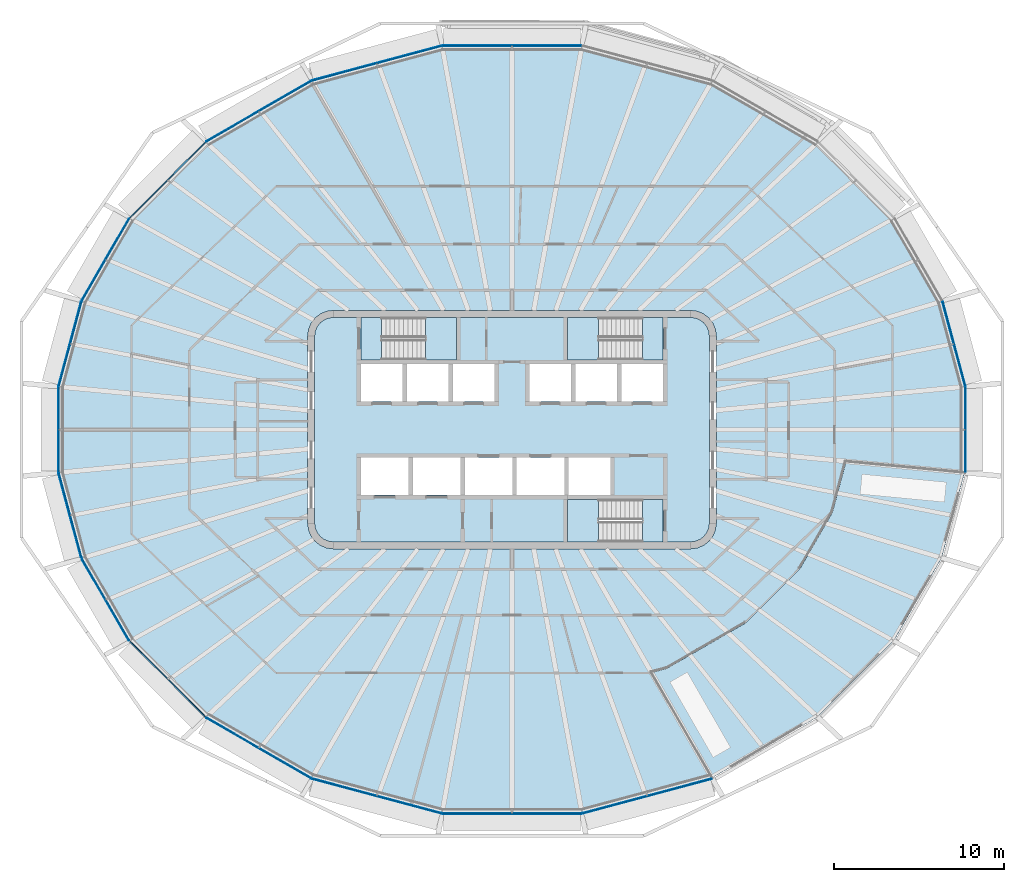
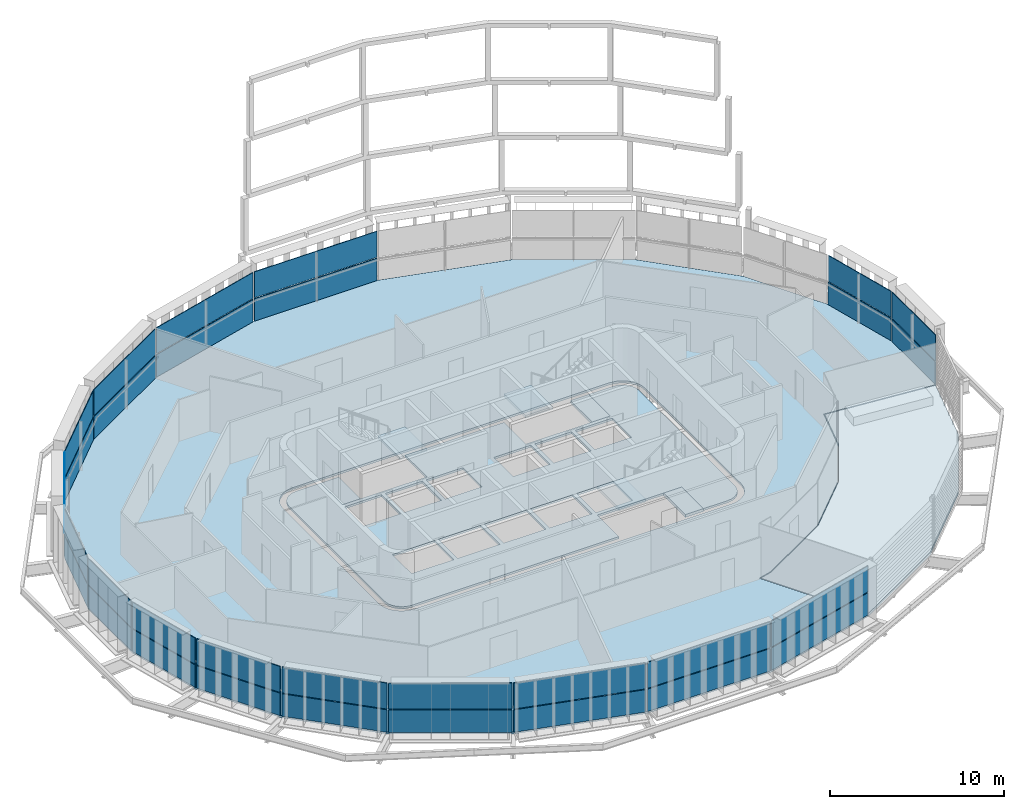
# One storey, part 9 of 21: 32 plates, 9 slabs, 19 elements without a shape of their own.
"""IFC4 building model written with IfcOpenShell, lengths in metres."""

from ifc_helpers import new_model, si_unit, direction, frame, origin, place, context, subcontext, project, spatial, polyline, outline, extrude, material, layer, layer_set, type_object, element, aggregate, save


model = new_model("IFC4")

# Units and contexts
model_context = context("Model", 3, precision=1e-05, world=origin(), true_north=direction((0.0, 1.0)))
body_context = subcontext(model_context, "Body", "Model", "MODEL_VIEW")
ifc_project = project(units=[si_unit("LENGTHUNIT", "METRE"), si_unit("AREAUNIT", "SQUARE_METRE"), si_unit("VOLUMEUNIT", "CUBIC_METRE"), si_unit("PLANEANGLEUNIT", "RADIAN"), si_unit("MASSUNIT", "GRAM", prefix="KILO")], contexts=[model_context])

# Site, building, storey
site_placement = place(None, origin())
site = spatial("IfcSite", under=ifc_project, at=site_placement, CompositionType="ELEMENT")
building_placement = place(site_placement, origin())
building = spatial("IfcBuilding", under=site, at=building_placement, Name="Sahrelin Media Tower", CompositionType="ELEMENT")
storey_placement = place(building_placement, frame((0.0, 0.0, 304.39990234375)))
storey = spatial("IfcBuildingStorey", under=building, at=storey_placement, Name="L67", CompositionType="ELEMENT", Elevation=304.39990234375)

# Slabs
ifc_material_1 = material(Name="Concrete C40/50", Category="concrete")
ifc_layer_1 = layer(ifc_material_1, 0.14990234375)
ifc_layer_set_1 = layer_set([ifc_layer_1], Name="Composite floor slab 150")
slab_type_1 = type_object("IfcSlabType", Name="Composite floor slab 150", PredefinedType="FLOOR", material=ifc_layer_set_1)
placement_1 = place(storey_placement, frame((0.0, 0.0, -0.14990234375)))
element("IfcSlab", 1, at=placement_1, inside=storey, type_object=slab_type_1, Name="Floor slab L67", PredefinedType="FLOOR", context=body_context, shape_type="SweptSolid", body=[
    extrude(outline(polyline([(26.62353515625, -2.525390625), (26.623779296875, -2.524658203125), (26.623779296875, 2.524658203125), (25.279052734375, 7.54345703125), (22.46240234375, 12.421630859375), (17.984619140625, 16.8994140625), (11.765380859375, 20.489990234375), (4.1123046875, 22.540771484375), (-4.1123046875, 22.540771484375), (-11.765380859375, 20.489990234375), (-17.984619140625, 16.8994140625), (-22.46240234375, 12.421630859375), (-25.279052734375, 7.54345703125), (-26.623779296875, 2.524658203125), (-26.623779296875, -2.524658203125), (-25.279052734375, -7.54345703125), (-22.46240234375, -12.421630859375), (-17.984619140625, -16.8994140625), (-11.765380859375, -20.489990234375), (-4.1123046875, -22.540771484375), (4.1123046875, -22.540771484375), (11.7626953125, -20.49072265625), (8.16748046875, -14.227783203125), (9.0712890625, -13.985595703125), (13.698974609375, -11.31396484375), (16.877197265625, -8.1357421875), (18.774658203125, -4.84912109375), (19.576416015625, -1.85693359375), (26.62353515625, -2.525390625)]), holes=[polyline([(11.799072265625, 6.25), (11.948974609375, 5.88818359375), (12.0, 5.5), (12.0, -5.5), (11.948974609375, -5.88818359375), (11.799072265625, -6.25), (11.560791015625, -6.560791015625), (11.25, -6.799072265625), (10.88818359375, -6.948974609375), (10.5, -7.0), (-10.5, -7.0), (-10.88818359375, -6.948974609375), (-11.25, -6.799072265625), (-11.560791015625, -6.560791015625), (-11.799072265625, -6.25), (-11.948974609375, -5.88818359375), (-12.0, -5.5), (-12.0, 5.5), (-11.948974609375, 5.88818359375), (-11.799072265625, 6.25), (-11.560791015625, 6.560791015625), (-11.25, 6.799072265625), (-10.88818359375, 6.948974609375), (-10.5, 7.0), (10.5, 7.0), (10.88818359375, 6.948974609375), (11.25, 6.799072265625), (11.560791015625, 6.560791015625), (11.799072265625, 6.25)])]), origin(), (0.0, 0.0, 1.0), 0.14990234375),
])
ifc_layer_2 = layer(ifc_material_1, 0.14990234375)
ifc_layer_set_2 = layer_set([ifc_layer_2], Name="Core floor slab 150")
slab_type_2 = type_object("IfcSlabType", Name="Core floor slab 150", PredefinedType="FLOOR", material=ifc_layer_set_2)
element("IfcSlab", 2, at=placement_1, inside=storey, type_object=slab_type_2, Name="Core floor", PredefinedType="FLOOR", context=body_context, shape_type="SweptSolid", body=[
    extrude(outline(polyline([(-11.60009765625, -5.473876953125), (-11.55908203125, -5.78369140625), (-11.44970703125, -6.04833984375), (-11.275390625, -6.275390625), (-11.04833984375, -6.44970703125), (-10.78369140625, -6.55908203125), (-10.473876953125, -6.60009765625), (3.27490234375, -6.60009765625), (3.27490234375, -4.10009765625), (8.875, -4.10009765625), (8.875, -6.60009765625), (10.473876953125, -6.60009765625), (10.78369140625, -6.55908203125), (11.04833984375, -6.44970703125), (11.275390625, -6.275390625), (11.44970703125, -6.04833984375), (11.55908203125, -5.78369140625), (11.60009765625, -5.473876953125), (11.60009765625, 5.473876953125), (11.55908203125, 5.78369140625), (11.44970703125, 6.04833984375), (11.275390625, 6.275390625), (11.04833984375, 6.44970703125), (10.78369140625, 6.55908203125), (10.473876953125, 6.60009765625), (8.875, 6.60009765625), (8.875, 4.10009765625), (3.27490234375, 4.10009765625), (3.27490234375, 6.60009765625), (-3.27490234375, 6.60009765625), (-3.27490234375, 4.10009765625), (-8.875, 4.10009765625), (-8.875, 6.60009765625), (-10.473876953125, 6.60009765625), (-10.78369140625, 6.55908203125), (-11.04833984375, 6.44970703125), (-11.275390625, 6.275390625), (-11.44970703125, 6.04833984375), (-11.55908203125, 5.78369140625), (-11.60009765625, 5.473876953125), (-11.60009765625, -5.473876953125)]), holes=[polyline([(-8.875, 3.85009765625), (-8.875, 1.64990234375), (-6.425048828125, 1.64990234375), (-6.425048828125, 3.85009765625), (-8.875, 3.85009765625)]), polyline([(-3.72509765625, 3.85009765625), (-6.175048828125, 3.85009765625), (-6.175048828125, 1.64990234375), (-3.72509765625, 1.64990234375), (-3.72509765625, 3.85009765625)]), polyline([(-1.02490234375, 1.64990234375), (-1.02490234375, 3.85009765625), (-3.47509765625, 3.85009765625), (-3.47509765625, 1.64990234375), (-1.02490234375, 1.64990234375)]), polyline([(1.02490234375, 1.64990234375), (3.47509765625, 1.64990234375), (3.47509765625, 3.85009765625), (1.02490234375, 3.85009765625), (1.02490234375, 1.64990234375)]), polyline([(3.72509765625, 3.85009765625), (3.72509765625, 1.64990234375), (6.175048828125, 1.64990234375), (6.175048828125, 3.85009765625), (3.72509765625, 3.85009765625)]), polyline([(8.875, 3.85009765625), (6.425048828125, 3.85009765625), (6.425048828125, 1.64990234375), (8.875, 1.64990234375), (8.875, 3.85009765625)]), polyline([(-6.074951171875, -3.85009765625), (-6.074951171875, -1.64990234375), (-8.875, -1.64990234375), (-8.875, -3.85009765625), (-6.074951171875, -3.85009765625)]), polyline([(-5.824951171875, -3.85009765625), (-3.02490234375, -3.85009765625), (-3.02490234375, -1.64990234375), (-5.824951171875, -1.64990234375), (-5.824951171875, -3.85009765625)]), polyline([(-2.77490234375, -1.64990234375), (-2.77490234375, -3.85009765625), (0.02490234375, -3.85009765625), (0.02490234375, -1.64990234375), (-2.77490234375, -1.64990234375)]), polyline([(3.074951171875, -1.64990234375), (0.27490234375, -1.64990234375), (0.27490234375, -3.85009765625), (3.074951171875, -3.85009765625), (3.074951171875, -1.64990234375)]), polyline([(5.77490234375, -3.85009765625), (5.77490234375, -1.64990234375), (3.324951171875, -1.64990234375), (3.324951171875, -3.85009765625), (5.77490234375, -3.85009765625)])]), origin(), (0.0, 0.0, 1.0), 0.14990234375),
])

# Curtain wall, plate
ifc_material_2 = material(Name="Champagne anodised aluminium 6063-T6", Category="aluminium")
ifc_layer_3 = layer(ifc_material_2, 0.14990234375)
ifc_layer_set_3 = layer_set([ifc_layer_3], Name="Tower ribbon curtain wall")
curtain_wall_type = type_object("IfcCurtainWallType", Name="Tower ribbon curtain wall", PredefinedType="NOTDEFINED", material=ifc_layer_set_3)
curtain_wall_1_placement = place(storey_placement, frame((26.643798828125, 0.0, 0.0), z_axis=(0.0, 0.0, 1.0), x_axis=(1.0, 0.0, 0.0)))
curtain_wall_1 = element("IfcCurtainWall", 3, at=curtain_wall_1_placement, inside=storey, type_object=curtain_wall_type, Name="L67:CW:L67-00", PredefinedType="NOTDEFINED")
ifc_material_3 = material(Name="Clear low-iron glazing", Category="glass")
ifc_layer_4 = layer(ifc_material_3, 0.048095703125)
ifc_layer_set_4 = layer_set([ifc_layer_4], Name="Glazing panel 48 mm CW1C")
plate_type_1 = type_object("IfcPlateType", Name="Glazing panel 48 mm CW1C", PredefinedType="CURTAIN_PANEL", material=ifc_layer_set_4)
plate_1_placement = place(storey_placement, frame((26.663818359375, -2.477294921875, 1.630126953125), z_axis=(1.0, 0.0, 0.0), x_axis=(0.0, 1.0, 0.0)))
plate_1 = element("IfcPlate", 4, at=plate_1_placement, type_object=plate_type_1, Name="L67:CWP2:L67-00", PredefinedType="CURTAIN_PANEL", context=body_context, shape_type="SweptSolid", body=[
    extrude(outline(polyline([(0.0, 0.0), (4.95458984375, 0.0), (4.95458984375, 1.818603515625), (0.0, 1.818603515625), (0.0, 0.0)])), origin(), (0.0, 0.0, -1.0), 0.048095703125),
])

curtain_wall_2_placement = place(storey_placement, frame((25.970703125, 5.039306640625, 0.0), z_axis=(0.0, 0.0, 1.0), x_axis=(1.0, 0.0, 0.0)))
curtain_wall_2 = element("IfcCurtainWall", 5, at=curtain_wall_2_placement, inside=storey, type_object=curtain_wall_type, Name="L67:CW:L67-01", PredefinedType="NOTDEFINED")
plate_2_placement = place(storey_placement, frame((26.650146484375, 2.580810546875, 1.630126953125), z_axis=(0.965922842135, 0.258830181859, 0.0), x_axis=(-0.258830181859, 0.965922842135, 0.0)))
plate_2 = element("IfcPlate", 6, at=plate_2_placement, type_object=plate_type_1, Name="L67:CWP2:L67-01", PredefinedType="CURTAIN_PANEL", context=body_context, shape_type="SweptSolid", body=[
    extrude(outline(polyline([(0.0, 0.0), (5.10107421875, 0.0), (5.10107421875, 1.818603515625), (0.0, 1.818603515625), (0.0, 0.0)])), origin(), (0.0, 0.0, -1.0), 0.048095703125),
])

curtain_wall_3_placement = place(storey_placement, frame((0.0, 22.560791015625, 0.0), z_axis=(0.0, 0.0, 1.0), x_axis=(1.0, 0.0, 0.0)))
curtain_wall_3 = element("IfcCurtainWall", 7, at=curtain_wall_3_placement, inside=storey, type_object=curtain_wall_type, Name="L67:CW:L67-06", PredefinedType="NOTDEFINED")
plate_3_placement = place(storey_placement, frame((4.06494140625, 22.580810546875, 1.630126953125), z_axis=(0.0, 1.0, 0.0), x_axis=(-1.0, 0.0, 0.0)))
plate_3 = element("IfcPlate", 8, at=plate_3_placement, type_object=plate_type_1, Name="L67:CWP2:L67-06", PredefinedType="CURTAIN_PANEL", context=body_context, shape_type="SweptSolid", body=[
    extrude(outline(polyline([(0.0, 0.0), (8.1298828125, 0.0), (8.1298828125, 1.818603515625), (0.0, 1.818603515625), (0.0, 0.0)])), origin(), (0.0, 0.0, -1.0), 0.048095703125),
])

curtain_wall_4_placement = place(storey_placement, frame((-7.944091796875, 21.53466796875, 0.0), z_axis=(0.0, 0.0, 1.0), x_axis=(1.0, 0.0, 0.0)))
curtain_wall_4 = element("IfcCurtainWall", 9, at=curtain_wall_4_placement, inside=storey, type_object=curtain_wall_type, Name="L67:CW:L67-07", PredefinedType="NOTDEFINED")
plate_4_placement = place(storey_placement, frame((-4.16845703125, 22.567138671875, 1.630126953125), z_axis=(-0.25882130345, 0.965925221164, 0.0), x_axis=(-0.965925221164, -0.25882130345, 0.0)))
plate_4 = element("IfcPlate", 10, at=plate_4_placement, type_object=plate_type_1, Name="L67:CWP2:L67-07", PredefinedType="CURTAIN_PANEL", context=body_context, shape_type="SweptSolid", body=[
    extrude(outline(polyline([(0.0, 0.0), (7.828369140625, 0.0), (7.828369140625, 1.818603515625), (0.0, 1.818603515625), (0.0, 0.0)])), origin(), (0.0, 0.0, -1.0), 0.048095703125),
])

curtain_wall_5_placement = place(storey_placement, frame((-14.885009765625, 18.712158203125, 0.0), z_axis=(0.0, 0.0, 1.0), x_axis=(1.0, 0.0, 0.0)))
curtain_wall_5 = element("IfcCurtainWall", 11, at=curtain_wall_5_placement, inside=storey, type_object=curtain_wall_type, Name="L67:CW:L67-08", PredefinedType="NOTDEFINED")
plate_5_placement = place(storey_placement, frame((-11.826416015625, 20.5009765625, 1.630126953125), z_axis=(-0.499988861911, 0.866031834267, 0.0), x_axis=(-0.866031834267, -0.499988861911, 0.0)))
plate_5 = element("IfcPlate", 12, at=plate_5_placement, type_object=plate_type_1, Name="L67:CWP2:L67-08", PredefinedType="CURTAIN_PANEL", context=body_context, shape_type="SweptSolid", body=[
    extrude(outline(polyline([(0.0, 0.0), (7.086669921875, 0.0), (7.086669921875, 1.818603515625), (0.0, 1.818603515625), (0.0, 0.0)])), origin(), (0.0, 0.0, -1.0), 0.048095703125),
])

curtain_wall_6_placement = place(storey_placement, frame((-20.23779296875, 14.6748046875, 0.0), z_axis=(0.0, 0.0, 1.0), x_axis=(1.0, 0.0, 0.0)))
curtain_wall_6 = element("IfcCurtainWall", 13, at=curtain_wall_6_placement, inside=storey, type_object=curtain_wall_type, Name="L67:CW:L67-09", PredefinedType="NOTDEFINED")
plate_6_placement = place(storey_placement, frame((-18.04638671875, 16.894287109375, 1.630126953125), z_axis=(-0.707106781187, 0.707106781187, 0.0), x_axis=(-0.707106781187, -0.707106781187, 0.0)))
plate_6 = element("IfcPlate", 14, at=plate_6_placement, type_object=plate_type_1, Name="L67:CWP2:L67-09", PredefinedType="CURTAIN_PANEL", context=body_context, shape_type="SweptSolid", body=[
    extrude(outline(polyline([(0.0, 0.0), (6.238037109375, 0.0), (6.238037109375, 1.818603515625), (0.0, 1.818603515625), (0.0, 0.0)])), origin(), (0.0, 0.0, -1.0), 0.048095703125),
])

curtain_wall_7_placement = place(storey_placement, frame((-23.887939453125, 9.992431640625, 0.0), z_axis=(0.0, 0.0, 1.0), x_axis=(1.0, 0.0, 0.0)))
curtain_wall_7 = element("IfcCurtainWall", 15, at=curtain_wall_7_placement, inside=storey, type_object=curtain_wall_type, Name="L67:CW:L67-10", PredefinedType="NOTDEFINED")
plate_7_placement = place(storey_placement, frame((-22.520751953125, 12.400634765625, 1.630126953125), z_axis=(-0.8660262826, 0.499998477844, 0.0), x_axis=(-0.499998477844, -0.8660262826, 0.0)))
plate_7 = element("IfcPlate", 16, at=plate_7_placement, type_object=plate_type_1, Name="L67:CWP2:L67-10", PredefinedType="CURTAIN_PANEL", context=body_context, shape_type="SweptSolid", body=[
    extrude(outline(polyline([(0.0, 0.0), (5.5380859375, 0.0), (5.5380859375, 1.818603515625), (0.0, 1.818603515625), (0.0, 0.0)])), origin(), (0.0, 0.0, -1.0), 0.048095703125),
])

curtain_wall_8_placement = place(storey_placement, frame((-25.970703125, 5.039306640625, 0.0), z_axis=(0.0, 0.0, 1.0), x_axis=(1.0, 0.0, 0.0)))
curtain_wall_8 = element("IfcCurtainWall", 17, at=curtain_wall_8_placement, inside=storey, type_object=curtain_wall_type, Name="L67:CW:L67-11", PredefinedType="NOTDEFINED")
plate_8_placement = place(storey_placement, frame((-25.329833984375, 7.508056640625, 1.630126953125), z_axis=(-0.965922842135, 0.258830181859, 0.0), x_axis=(-0.258830181859, -0.965922842135, 0.0)))
plate_8 = element("IfcPlate", 18, at=plate_8_placement, type_object=plate_type_1, Name="L67:CWP2:L67-11", PredefinedType="CURTAIN_PANEL", context=body_context, shape_type="SweptSolid", body=[
    extrude(outline(polyline([(0.0, 0.0), (5.10107421875, 0.0), (5.10107421875, 1.818603515625), (0.0, 1.818603515625), (0.0, 0.0)])), origin(), (0.0, 0.0, -1.0), 0.048095703125),
])

curtain_wall_9_placement = place(storey_placement, frame((-26.643798828125, 0.0, 0.0), z_axis=(0.0, 0.0, 1.0), x_axis=(1.0, 0.0, 0.0)))
curtain_wall_9 = element("IfcCurtainWall", 19, at=curtain_wall_9_placement, inside=storey, type_object=curtain_wall_type, Name="L67:CW:L67-12", PredefinedType="NOTDEFINED")
plate_9_placement = place(storey_placement, frame((-26.663818359375, 2.477294921875, 1.630126953125), z_axis=(-1.0, 0.0, 0.0), x_axis=(0.0, -1.0, 0.0)))
plate_9 = element("IfcPlate", 20, at=plate_9_placement, type_object=plate_type_1, Name="L67:CWP2:L67-12", PredefinedType="CURTAIN_PANEL", context=body_context, shape_type="SweptSolid", body=[
    extrude(outline(polyline([(0.0, 0.0), (4.95458984375, 0.0), (4.95458984375, 1.818603515625), (0.0, 1.818603515625), (0.0, 0.0)])), origin(), (0.0, 0.0, -1.0), 0.048095703125),
])

curtain_wall_10_placement = place(storey_placement, frame((-25.970703125, -5.039306640625, 0.0), z_axis=(0.0, 0.0, 1.0), x_axis=(1.0, 0.0, 0.0)))
curtain_wall_10 = element("IfcCurtainWall", 21, at=curtain_wall_10_placement, inside=storey, type_object=curtain_wall_type, Name="L67:CW:L67-13", PredefinedType="NOTDEFINED")
plate_10_placement = place(storey_placement, frame((-26.650146484375, -2.580810546875, 1.630126953125), z_axis=(-0.965922842135, -0.258830181859, 0.0), x_axis=(0.258830181859, -0.965922842135, 0.0)))
plate_10 = element("IfcPlate", 22, at=plate_10_placement, type_object=plate_type_1, Name="L67:CWP2:L67-13", PredefinedType="CURTAIN_PANEL", context=body_context, shape_type="SweptSolid", body=[
    extrude(outline(polyline([(0.0, 0.0), (5.10107421875, 0.0), (5.10107421875, 1.818603515625), (0.0, 1.818603515625), (0.0, 0.0)])), origin(), (0.0, 0.0, -1.0), 0.048095703125),
])

curtain_wall_11_placement = place(storey_placement, frame((-23.88818359375, -9.992431640625, 0.0), z_axis=(0.0, 0.0, 1.0), x_axis=(1.0, 0.0, 0.0)))
curtain_wall_11 = element("IfcCurtainWall", 23, at=curtain_wall_11_placement, inside=storey, type_object=curtain_wall_type, Name="L67:CW:L67-14", PredefinedType="NOTDEFINED")
plate_11_placement = place(storey_placement, frame((-25.289794921875, -7.6044921875, 1.630126953125), z_axis=(-0.8660262826, -0.499998477844, 0.0), x_axis=(0.499998477844, -0.8660262826, 0.0)))
plate_11 = element("IfcPlate", 24, at=plate_11_placement, type_object=plate_type_1, Name="L67:CWP2:L67-14", PredefinedType="CURTAIN_PANEL", context=body_context, shape_type="SweptSolid", body=[
    extrude(outline(polyline([(0.0, 0.0), (5.5380859375, 0.0), (5.5380859375, 1.818603515625), (0.0, 1.818603515625), (0.0, 0.0)])), origin(), (0.0, 0.0, -1.0), 0.048095703125),
])

curtain_wall_12_placement = place(storey_placement, frame((-20.23779296875, -14.674560546875, 0.0), z_axis=(0.0, 0.0, 1.0), x_axis=(1.0, 0.0, 0.0)))
curtain_wall_12 = element("IfcCurtainWall", 25, at=curtain_wall_12_placement, inside=storey, type_object=curtain_wall_type, Name="L67:CW:L67-15", PredefinedType="NOTDEFINED")
plate_12_placement = place(storey_placement, frame((-22.457275390625, -12.4833984375, 1.630126953125), z_axis=(-0.707106781187, -0.707106781187, 0.0), x_axis=(0.707106781187, -0.707106781187, 0.0)))
plate_12 = element("IfcPlate", 26, at=plate_12_placement, type_object=plate_type_1, Name="L67:CWP2:L67-15", PredefinedType="CURTAIN_PANEL", context=body_context, shape_type="SweptSolid", body=[
    extrude(outline(polyline([(0.0, 0.0), (6.238037109375, 0.0), (6.238037109375, 1.818603515625), (0.0, 1.818603515625), (0.0, 0.0)])), origin(), (0.0, 0.0, -1.0), 0.048095703125),
])

curtain_wall_13_placement = place(storey_placement, frame((-14.885009765625, -18.712158203125, 0.0), z_axis=(0.0, 0.0, 1.0), x_axis=(1.0, 0.0, 0.0)))
curtain_wall_13 = element("IfcCurtainWall", 27, at=curtain_wall_13_placement, inside=storey, type_object=curtain_wall_type, Name="L67:CW:L67-16", PredefinedType="NOTDEFINED")
plate_13_placement = place(storey_placement, frame((-17.963623046875, -16.957763671875, 1.630126953125), z_axis=(-0.499988861911, -0.866031834267, 0.0), x_axis=(0.866031834267, -0.499988861911, 0.0)))
plate_13 = element("IfcPlate", 28, at=plate_13_placement, type_object=plate_type_1, Name="L67:CWP2:L67-16", PredefinedType="CURTAIN_PANEL", context=body_context, shape_type="SweptSolid", body=[
    extrude(outline(polyline([(0.0, 0.0), (7.086669921875, 0.0), (7.086669921875, 1.818603515625), (0.0, 1.818603515625), (0.0, 0.0)])), origin(), (0.0, 0.0, -1.0), 0.048095703125),
])

curtain_wall_14_placement = place(storey_placement, frame((-7.944091796875, -21.53466796875, 0.0), z_axis=(0.0, 0.0, 1.0), x_axis=(1.0, 0.0, 0.0)))
curtain_wall_14 = element("IfcCurtainWall", 29, at=curtain_wall_14_placement, inside=storey, type_object=curtain_wall_type, Name="L67:CW:L67-17", PredefinedType="NOTDEFINED")
plate_14_placement = place(storey_placement, frame((-11.72998046875, -20.541015625, 1.630126953125), z_axis=(-0.25882130345, -0.965925221164, 0.0), x_axis=(0.965925221164, -0.25882130345, 0.0)))
plate_14 = element("IfcPlate", 30, at=plate_14_placement, type_object=plate_type_1, Name="L67:CWP2:L67-17", PredefinedType="CURTAIN_PANEL", context=body_context, shape_type="SweptSolid", body=[
    extrude(outline(polyline([(0.0, 0.0), (7.828369140625, 0.0), (7.828369140625, 1.818603515625), (0.0, 1.818603515625), (0.0, 0.0)])), origin(), (0.0, 0.0, -1.0), 0.048095703125),
])

curtain_wall_15_placement = place(storey_placement, frame((0.0, -22.560791015625, 0.0), z_axis=(0.0, 0.0, 1.0), x_axis=(1.0, 0.0, 0.0)))
curtain_wall_15 = element("IfcCurtainWall", 31, at=curtain_wall_15_placement, inside=storey, type_object=curtain_wall_type, Name="L67:CW:L67-18", PredefinedType="NOTDEFINED")
plate_15_placement = place(storey_placement, frame((-4.06494140625, -22.580810546875, 1.630126953125), z_axis=(0.0, -1.0, 0.0), x_axis=(1.0, 0.0, 0.0)))
plate_15 = element("IfcPlate", 32, at=plate_15_placement, type_object=plate_type_1, Name="L67:CWP2:L67-18", PredefinedType="CURTAIN_PANEL", context=body_context, shape_type="SweptSolid", body=[
    extrude(outline(polyline([(0.0, 0.0), (8.1298828125, 0.0), (8.1298828125, 1.818603515625), (0.0, 1.818603515625), (0.0, 0.0)])), origin(), (0.0, 0.0, -1.0), 0.048095703125),
])

curtain_wall_16_placement = place(storey_placement, frame((7.944091796875, -21.53466796875, 0.0), z_axis=(0.0, 0.0, 1.0), x_axis=(1.0, 0.0, 0.0)))
curtain_wall_16 = element("IfcCurtainWall", 33, at=curtain_wall_16_placement, inside=storey, type_object=curtain_wall_type, Name="L67:CW:L67-19", PredefinedType="NOTDEFINED")
plate_16_placement = place(storey_placement, frame((4.16845703125, -22.567138671875, 1.630126953125), z_axis=(0.25882130345, -0.965925221164, 0.0), x_axis=(0.965925221164, 0.25882130345, 0.0)))
plate_16 = element("IfcPlate", 34, at=plate_16_placement, type_object=plate_type_1, Name="L67:CWP2:L67-19", PredefinedType="CURTAIN_PANEL", context=body_context, shape_type="SweptSolid", body=[
    extrude(outline(polyline([(0.0, 0.0), (7.828369140625, 0.0), (7.828369140625, 1.818603515625), (0.0, 1.818603515625), (0.0, 0.0)])), origin(), (0.0, 0.0, -1.0), 0.048095703125),
])

# Slab
ifc_layer_5 = layer(ifc_material_1, 0.199951171875)
ifc_layer_set_5 = layer_set([ifc_layer_5], Name="Sky garden terrace slab")
slab_type_3 = type_object("IfcSlabType", Name="Sky garden terrace slab", PredefinedType="FLOOR", material=ifc_layer_set_5)
placement_2 = place(storey_placement, frame((0.0, 0.0, -0.199951171875)))
element("IfcSlab", 35, at=placement_2, inside=storey, type_object=slab_type_3, Name="Sky garden terrace G6", PredefinedType="FLOOR", context=body_context, shape_type="SweptSolid", body=[
    extrude(outline(polyline([(25.2509765625, -7.53173828125), (22.4384765625, -12.4033203125), (17.96630859375, -16.87548828125), (11.79150390625, -20.440185546875), (8.243408203125, -14.259521484375), (9.090576171875, -14.0322265625), (13.7294921875, -11.35400390625), (16.9169921875, -8.16650390625), (18.8212890625, -4.868408203125), (19.61376953125, -1.91064453125), (26.580078125, -2.571533203125), (25.2509765625, -7.53173828125)])), origin(), (0.0, 0.0, 1.0), 0.199951171875),
])

# Plate
ifc_material_4 = material(Name="Insulated spandrel panel")
ifc_layer_6 = layer(ifc_material_4, 0.06005859375)
ifc_layer_set_6 = layer_set([ifc_layer_6], Name="Spandrel panel 60 mm CW1")
plate_type_2 = type_object("IfcPlateType", Name="Spandrel panel 60 mm CW1", PredefinedType="SHEET", material=ifc_layer_set_6)
plate_17_placement = place(storey_placement, frame((26.663818359375, -2.477294921875, 0.0), z_axis=(1.0, 0.0, 0.0), x_axis=(0.0, 1.0, 0.0)))
plate_17 = element("IfcPlate", 36, at=plate_17_placement, type_object=plate_type_2, Name="L67:CWP1:L67-00", PredefinedType="SHEET", context=body_context, shape_type="SweptSolid", body=[
    extrude(outline(polyline([(0.0, 0.0), (4.95458984375, 0.0), (4.95458984375, 1.570068359375), (0.0, 1.570068359375), (0.0, 0.0)])), origin(), (0.0, 0.0, -1.0), 0.06005859375),
])

aggregate(curtain_wall_1, [plate_17, plate_1])

plate_18_placement = place(storey_placement, frame((26.650146484375, 2.580810546875, 0.0), z_axis=(0.965922842135, 0.258830181859, 0.0), x_axis=(-0.258830181859, 0.965922842135, 0.0)))
plate_18 = element("IfcPlate", 37, at=plate_18_placement, type_object=plate_type_2, Name="L67:CWP1:L67-01", PredefinedType="SHEET", context=body_context, shape_type="SweptSolid", body=[
    extrude(outline(polyline([(0.0, 0.0), (5.10107421875, 0.0), (5.10107421875, 1.570068359375), (0.0, 1.570068359375), (0.0, 0.0)])), origin(), (0.0, 0.0, -1.0), 0.06005859375),
])

aggregate(curtain_wall_2, [plate_18, plate_2])

plate_19_placement = place(storey_placement, frame((4.06494140625, 22.580810546875, 0.0), z_axis=(0.0, 1.0, 0.0), x_axis=(-1.0, 0.0, 0.0)))
plate_19 = element("IfcPlate", 38, at=plate_19_placement, type_object=plate_type_2, Name="L67:CWP1:L67-06", PredefinedType="SHEET", context=body_context, shape_type="SweptSolid", body=[
    extrude(outline(polyline([(0.0, 0.0), (8.1298828125, 0.0), (8.1298828125, 1.570068359375), (0.0, 1.570068359375), (0.0, 0.0)])), origin(), (0.0, 0.0, -1.0), 0.06005859375),
])

aggregate(curtain_wall_3, [plate_19, plate_3])

plate_20_placement = place(storey_placement, frame((-4.16845703125, 22.567138671875, 0.0), z_axis=(-0.25882130345, 0.965925221164, 0.0), x_axis=(-0.965925221164, -0.25882130345, 0.0)))
plate_20 = element("IfcPlate", 39, at=plate_20_placement, type_object=plate_type_2, Name="L67:CWP1:L67-07", PredefinedType="SHEET", context=body_context, shape_type="SweptSolid", body=[
    extrude(outline(polyline([(0.0, 0.0), (7.828369140625, 0.0), (7.828369140625, 1.570068359375), (0.0, 1.570068359375), (0.0, 0.0)])), origin(), (0.0, 0.0, -1.0), 0.06005859375),
])

aggregate(curtain_wall_4, [plate_20, plate_4])

plate_21_placement = place(storey_placement, frame((-11.826416015625, 20.5009765625, 0.0), z_axis=(-0.499988861911, 0.866031834267, 0.0), x_axis=(-0.866031834267, -0.499988861911, 0.0)))
plate_21 = element("IfcPlate", 40, at=plate_21_placement, type_object=plate_type_2, Name="L67:CWP1:L67-08", PredefinedType="SHEET", context=body_context, shape_type="SweptSolid", body=[
    extrude(outline(polyline([(0.0, 0.0), (7.086669921875, 0.0), (7.086669921875, 1.570068359375), (0.0, 1.570068359375), (0.0, 0.0)])), origin(), (0.0, 0.0, -1.0), 0.06005859375),
])

aggregate(curtain_wall_5, [plate_21, plate_5])

plate_22_placement = place(storey_placement, frame((-18.04638671875, 16.894287109375, 0.0), z_axis=(-0.707106781187, 0.707106781187, 0.0), x_axis=(-0.707106781187, -0.707106781187, 0.0)))
plate_22 = element("IfcPlate", 41, at=plate_22_placement, type_object=plate_type_2, Name="L67:CWP1:L67-09", PredefinedType="SHEET", context=body_context, shape_type="SweptSolid", body=[
    extrude(outline(polyline([(0.0, 0.0), (6.238037109375, 0.0), (6.238037109375, 1.570068359375), (0.0, 1.570068359375), (0.0, 0.0)])), origin(), (0.0, 0.0, -1.0), 0.06005859375),
])

aggregate(curtain_wall_6, [plate_22, plate_6])

plate_23_placement = place(storey_placement, frame((-22.520751953125, 12.400634765625, 0.0), z_axis=(-0.8660262826, 0.499998477844, 0.0), x_axis=(-0.499998477844, -0.8660262826, 0.0)))
plate_23 = element("IfcPlate", 42, at=plate_23_placement, type_object=plate_type_2, Name="L67:CWP1:L67-10", PredefinedType="SHEET", context=body_context, shape_type="SweptSolid", body=[
    extrude(outline(polyline([(0.0, 0.0), (5.5380859375, 0.0), (5.5380859375, 1.570068359375), (0.0, 1.570068359375), (0.0, 0.0)])), origin(), (0.0, 0.0, -1.0), 0.06005859375),
])

aggregate(curtain_wall_7, [plate_23, plate_7])

plate_24_placement = place(storey_placement, frame((-25.329833984375, 7.508056640625, 0.0), z_axis=(-0.965922842135, 0.258830181859, 0.0), x_axis=(-0.258830181859, -0.965922842135, 0.0)))
plate_24 = element("IfcPlate", 43, at=plate_24_placement, type_object=plate_type_2, Name="L67:CWP1:L67-11", PredefinedType="SHEET", context=body_context, shape_type="SweptSolid", body=[
    extrude(outline(polyline([(0.0, 0.0), (5.10107421875, 0.0), (5.10107421875, 1.570068359375), (0.0, 1.570068359375), (0.0, 0.0)])), origin(), (0.0, 0.0, -1.0), 0.06005859375),
])

aggregate(curtain_wall_8, [plate_24, plate_8])

plate_25_placement = place(storey_placement, frame((-26.663818359375, 2.477294921875, 0.0), z_axis=(-1.0, 0.0, 0.0), x_axis=(0.0, -1.0, 0.0)))
plate_25 = element("IfcPlate", 44, at=plate_25_placement, type_object=plate_type_2, Name="L67:CWP1:L67-12", PredefinedType="SHEET", context=body_context, shape_type="SweptSolid", body=[
    extrude(outline(polyline([(0.0, 0.0), (4.95458984375, 0.0), (4.95458984375, 1.570068359375), (0.0, 1.570068359375), (0.0, 0.0)])), origin(), (0.0, 0.0, -1.0), 0.06005859375),
])

aggregate(curtain_wall_9, [plate_25, plate_9])

plate_26_placement = place(storey_placement, frame((-26.650146484375, -2.580810546875, 0.0), z_axis=(-0.965922842135, -0.258830181859, 0.0), x_axis=(0.258830181859, -0.965922842135, 0.0)))
plate_26 = element("IfcPlate", 45, at=plate_26_placement, type_object=plate_type_2, Name="L67:CWP1:L67-13", PredefinedType="SHEET", context=body_context, shape_type="SweptSolid", body=[
    extrude(outline(polyline([(0.0, 0.0), (5.10107421875, 0.0), (5.10107421875, 1.570068359375), (0.0, 1.570068359375), (0.0, 0.0)])), origin(), (0.0, 0.0, -1.0), 0.06005859375),
])

aggregate(curtain_wall_10, [plate_26, plate_10])

plate_27_placement = place(storey_placement, frame((-25.289794921875, -7.6044921875, 0.0), z_axis=(-0.8660262826, -0.499998477844, 0.0), x_axis=(0.499998477844, -0.8660262826, 0.0)))
plate_27 = element("IfcPlate", 46, at=plate_27_placement, type_object=plate_type_2, Name="L67:CWP1:L67-14", PredefinedType="SHEET", context=body_context, shape_type="SweptSolid", body=[
    extrude(outline(polyline([(0.0, 0.0), (5.5380859375, 0.0), (5.5380859375, 1.570068359375), (0.0, 1.570068359375), (0.0, 0.0)])), origin(), (0.0, 0.0, -1.0), 0.06005859375),
])

aggregate(curtain_wall_11, [plate_27, plate_11])

plate_28_placement = place(storey_placement, frame((-22.457275390625, -12.4833984375, 0.0), z_axis=(-0.707106781187, -0.707106781187, 0.0), x_axis=(0.707106781187, -0.707106781187, 0.0)))
plate_28 = element("IfcPlate", 47, at=plate_28_placement, type_object=plate_type_2, Name="L67:CWP1:L67-15", PredefinedType="SHEET", context=body_context, shape_type="SweptSolid", body=[
    extrude(outline(polyline([(0.0, 0.0), (6.238037109375, 0.0), (6.238037109375, 1.570068359375), (0.0, 1.570068359375), (0.0, 0.0)])), origin(), (0.0, 0.0, -1.0), 0.06005859375),
])

aggregate(curtain_wall_12, [plate_28, plate_12])

plate_29_placement = place(storey_placement, frame((-17.963623046875, -16.957763671875, 0.0), z_axis=(-0.499988861911, -0.866031834267, 0.0), x_axis=(0.866031834267, -0.499988861911, 0.0)))
plate_29 = element("IfcPlate", 48, at=plate_29_placement, type_object=plate_type_2, Name="L67:CWP1:L67-16", PredefinedType="SHEET", context=body_context, shape_type="SweptSolid", body=[
    extrude(outline(polyline([(0.0, 0.0), (7.086669921875, 0.0), (7.086669921875, 1.570068359375), (0.0, 1.570068359375), (0.0, 0.0)])), origin(), (0.0, 0.0, -1.0), 0.06005859375),
])

aggregate(curtain_wall_13, [plate_29, plate_13])

plate_30_placement = place(storey_placement, frame((-11.72998046875, -20.541015625, 0.0), z_axis=(-0.25882130345, -0.965925221164, 0.0), x_axis=(0.965925221164, -0.25882130345, 0.0)))
plate_30 = element("IfcPlate", 49, at=plate_30_placement, type_object=plate_type_2, Name="L67:CWP1:L67-17", PredefinedType="SHEET", context=body_context, shape_type="SweptSolid", body=[
    extrude(outline(polyline([(0.0, 0.0), (7.828369140625, 0.0), (7.828369140625, 1.570068359375), (0.0, 1.570068359375), (0.0, 0.0)])), origin(), (0.0, 0.0, -1.0), 0.06005859375),
])

aggregate(curtain_wall_14, [plate_30, plate_14])

plate_31_placement = place(storey_placement, frame((-4.06494140625, -22.580810546875, 0.0), z_axis=(0.0, -1.0, 0.0), x_axis=(1.0, 0.0, 0.0)))
plate_31 = element("IfcPlate", 50, at=plate_31_placement, type_object=plate_type_2, Name="L67:CWP1:L67-18", PredefinedType="SHEET", context=body_context, shape_type="SweptSolid", body=[
    extrude(outline(polyline([(0.0, 0.0), (8.1298828125, 0.0), (8.1298828125, 1.570068359375), (0.0, 1.570068359375), (0.0, 0.0)])), origin(), (0.0, 0.0, -1.0), 0.06005859375),
])

aggregate(curtain_wall_15, [plate_31, plate_15])

plate_32_placement = place(storey_placement, frame((4.16845703125, -22.567138671875, 0.0), z_axis=(0.25882130345, -0.965925221164, 0.0), x_axis=(0.965925221164, 0.25882130345, 0.0)))
plate_32 = element("IfcPlate", 51, at=plate_32_placement, type_object=plate_type_2, Name="L67:CWP1:L67-19", PredefinedType="SHEET", context=body_context, shape_type="SweptSolid", body=[
    extrude(outline(polyline([(0.0, 0.0), (7.828369140625, 0.0), (7.828369140625, 1.570068359375), (0.0, 1.570068359375), (0.0, 0.0)])), origin(), (0.0, 0.0, -1.0), 0.06005859375),
])

aggregate(curtain_wall_16, [plate_32, plate_16])

# Stair, slabs
stair_type = type_object("IfcStairType", Name="Exit stair 1200", PredefinedType="HALF_TURN_STAIR", material=ifc_material_1)
placement_3 = place(storey_placement, origin())
stair_1 = element("IfcStair", 52, at=placement_3, inside=storey, type_object=stair_type, Name="L67 Exit stair ST1", PredefinedType="HALF_TURN_STAIR")
ifc_layer_7 = layer(ifc_material_1, 0.199951171875)
ifc_layer_set_7 = layer_set([ifc_layer_7], Name="Stair landing 200")
slab_type_4 = type_object("IfcSlabType", Name="Stair landing 200", PredefinedType="LANDING", material=ifc_layer_set_7)
placement_4 = place(storey_placement, frame((0.0, 0.0, 1.800048828125)))
slab_4 = element("IfcSlab", 53, at=placement_4, type_object=slab_type_4, Name="ST1 landing 1", PredefinedType="LANDING", context=body_context, shape_type="SweptSolid", body=[
    extrude(outline(polyline([(-5.074951171875, 4.10009765625), (-3.27490234375, 4.10009765625), (-3.27490234375, 6.60009765625), (-5.074951171875, 6.60009765625), (-5.074951171875, 4.10009765625)])), origin(), (0.0, 0.0, 1.0), 0.199951171875),
])
slab_5 = element("IfcSlab", 54, at=placement_2, type_object=slab_type_4, Name="ST1 landing 2", PredefinedType="LANDING", context=body_context, shape_type="SweptSolid", body=[
    extrude(outline(polyline([(-8.875, 4.10009765625), (-7.675048828125, 4.10009765625), (-7.675048828125, 6.60009765625), (-8.875, 6.60009765625), (-8.875, 4.10009765625)])), origin(), (0.0, 0.0, 1.0), 0.199951171875),
])
aggregate(stair_1, [slab_4, slab_5])

stair_2 = element("IfcStair", 55, at=placement_3, inside=storey, type_object=stair_type, Name="L67 Exit stair ST3", PredefinedType="HALF_TURN_STAIR")
slab_6 = element("IfcSlab", 56, at=placement_4, type_object=slab_type_4, Name="ST3 landing 1", PredefinedType="LANDING", context=body_context, shape_type="SweptSolid", body=[
    extrude(outline(polyline([(5.074951171875, 6.60009765625), (3.27490234375, 6.60009765625), (3.27490234375, 4.10009765625), (5.074951171875, 4.10009765625), (5.074951171875, 6.60009765625)])), origin(), (0.0, 0.0, 1.0), 0.199951171875),
])
slab_7 = element("IfcSlab", 57, at=placement_2, type_object=slab_type_4, Name="ST3 landing 2", PredefinedType="LANDING", context=body_context, shape_type="SweptSolid", body=[
    extrude(outline(polyline([(8.875, 6.60009765625), (7.675048828125, 6.60009765625), (7.675048828125, 4.10009765625), (8.875, 4.10009765625), (8.875, 6.60009765625)])), origin(), (0.0, 0.0, 1.0), 0.199951171875),
])
aggregate(stair_2, [slab_6, slab_7])

stair_3 = element("IfcStair", 58, at=placement_3, inside=storey, type_object=stair_type, Name="L67 Exit stair ST2", PredefinedType="HALF_TURN_STAIR")
slab_8 = element("IfcSlab", 59, at=placement_4, type_object=slab_type_4, Name="ST2 landing 1", PredefinedType="LANDING", context=body_context, shape_type="SweptSolid", body=[
    extrude(outline(polyline([(5.074951171875, -4.10009765625), (3.27490234375, -4.10009765625), (3.27490234375, -6.60009765625), (5.074951171875, -6.60009765625), (5.074951171875, -4.10009765625)])), origin(), (0.0, 0.0, 1.0), 0.199951171875),
])
slab_9 = element("IfcSlab", 60, at=placement_2, type_object=slab_type_4, Name="ST2 landing 2", PredefinedType="LANDING", context=body_context, shape_type="SweptSolid", body=[
    extrude(outline(polyline([(8.875, -4.10009765625), (7.675048828125, -4.10009765625), (7.675048828125, -6.60009765625), (8.875, -6.60009765625), (8.875, -4.10009765625)])), origin(), (0.0, 0.0, 1.0), 0.199951171875),
])
aggregate(stair_3, [slab_8, slab_9])

save(model, "model.ifc")
